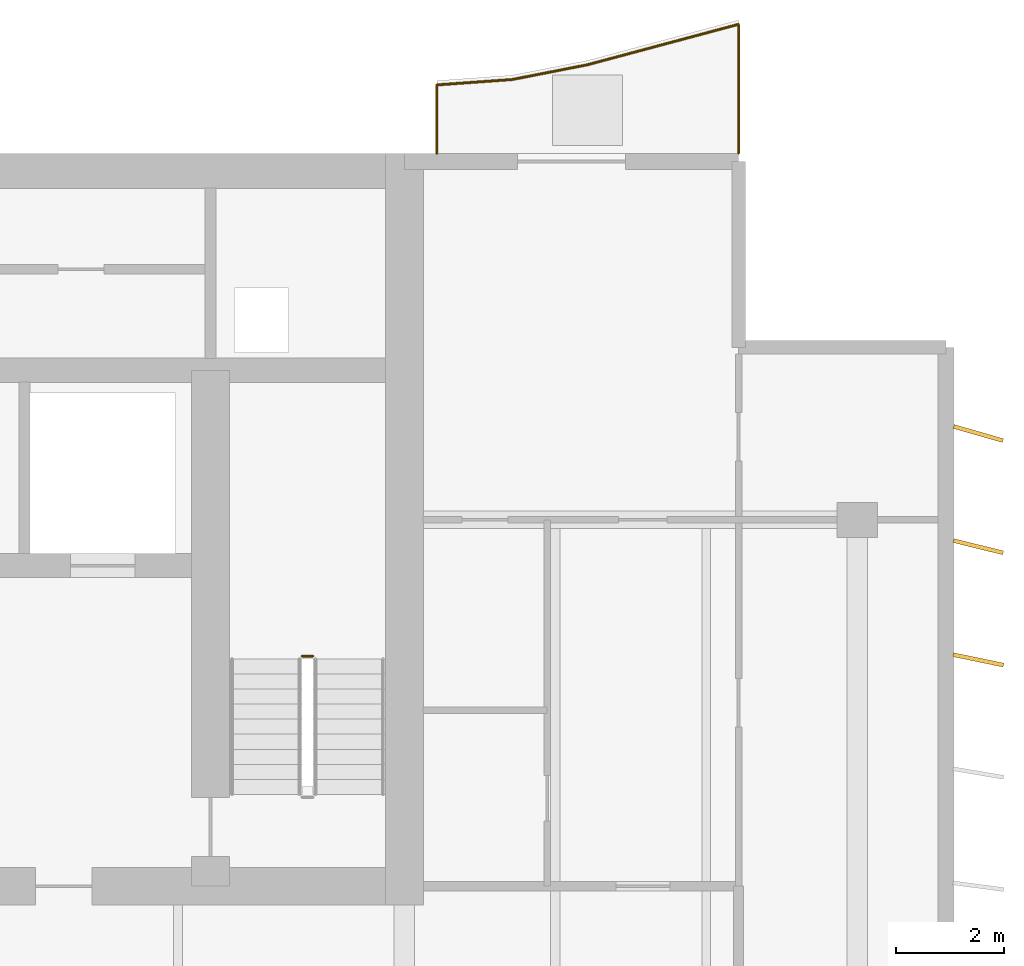
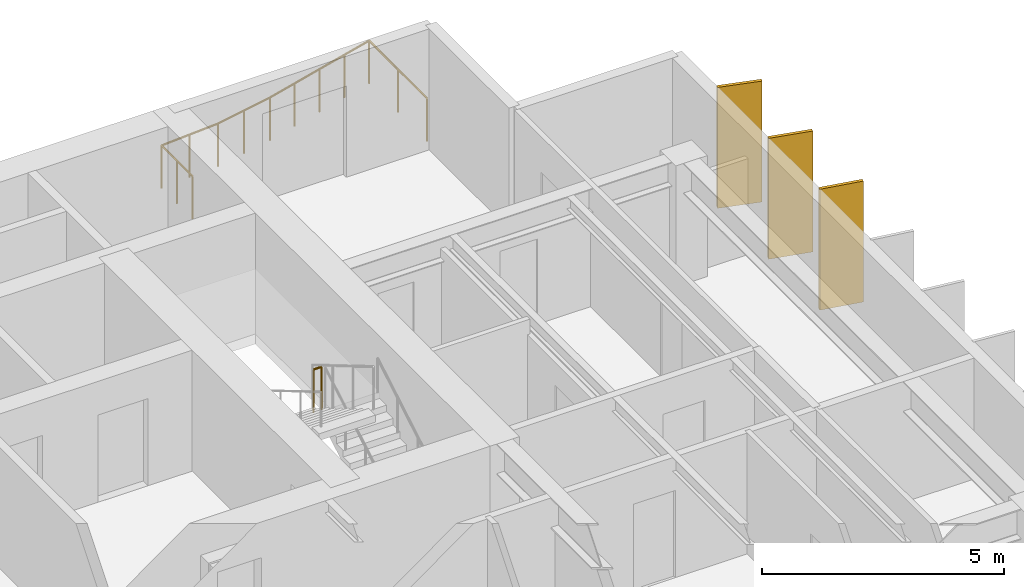
# One storey, part 17 of 17: 3 shading devices, 2 railings.
"""IFC4 building model written with IfcOpenShell, lengths in metres."""

from ifc_helpers import new_model, si_unit, direction, frame, origin, origin_2d, place, context, subcontext, project, spatial, rectangle, circle, extrude, material, material_profile, profile_set, type_object, element, save


model = new_model("IFC4")

# Units and contexts
model_context = context("Model", 3, precision=1e-05, world=origin(), true_north=direction((0.0, 1.0)))
body_context = subcontext(model_context, "Body", "Model", "MODEL_VIEW")
ifc_project = project(units=[si_unit("LENGTHUNIT", "METRE"), si_unit("AREAUNIT", "SQUARE_METRE"), si_unit("VOLUMEUNIT", "CUBIC_METRE"), si_unit("PLANEANGLEUNIT", "RADIAN"), si_unit("MASSUNIT", "GRAM", prefix="KILO")], contexts=[model_context])

# Site, building, storey
site_placement = place(None, origin())
site = spatial("IfcSite", under=ifc_project, at=site_placement, CompositionType="ELEMENT")
building_placement = place(site_placement, origin())
building = spatial("IfcBuilding", under=site, at=building_placement, Name="Caelmar Bay Residences", CompositionType="ELEMENT")
storey_placement = place(building_placement, frame((0.0, 0.0, 229.800048828125)))
storey = spatial("IfcBuildingStorey", under=building, at=storey_placement, Name="L64", CompositionType="ELEMENT", Elevation=229.800048828125)

# Railings
ifc_material_1 = material(Name="Anodised bronze handrail with laminated hurricane glass infill", Category="glass")
railing_type_1 = type_object("IfcRailingType", Name="RL-BAL-1100", PredefinedType="BALUSTRADE", material=ifc_material_1)
railing_1_placement = place(storey_placement, frame((65.699951171875, 50.60009765625, 0.0)))
element("IfcRailing", 1, at=railing_1_placement, inside=storey, type_object=railing_type_1, Name="L64 north_east Balcony Balustrade", PredefinedType="BALUSTRADE", context=body_context, shape_type="SweptSolid", body=[
    extrude(circle(Radius=0.02392578125, at=origin_2d()), frame((0.0, 0.0, 1.076171875), z_axis=(0.0, 1.0, 0.0), x_axis=(-1.0, 0.0, 0.0)), (0.0, 0.0, 1.0), 2.39501953125),
    extrude(circle(Radius=0.02392578125, at=origin_2d()), frame((0.0, 2.39501953125, 1.076171875), z_axis=(-0.965943540406, -0.258752926066, 0.0), x_axis=(0.258752926066, -0.965943540406, 0.0)), (0.0, 0.0, 1.0), 1.44921875),
    extrude(circle(Radius=0.02392578125, at=origin_2d()), frame((-1.39990234375, 2.02001953125, 1.076171875), z_axis=(-0.965954816498, -0.258710827923, 0.0), x_axis=(0.258710827923, -0.965954816498, 0.0)), (0.0, 0.0, 1.0), 1.449462890625),
    extrude(circle(Radius=0.02392578125, at=origin_2d()), frame((-2.800048828125, 1.64501953125, 1.076171875), z_axis=(-0.981291567128, -0.192527557206, 0.0), x_axis=(0.192527557206, -0.981291567128, 0.0)), (0.0, 0.0, 1.0), 1.426513671875),
    extrude(circle(Radius=0.02392578125, at=origin_2d()), frame((-4.199951171875, 1.370361328125, 1.076171875), z_axis=(-0.997441009083, -0.07149428928, 0.0), x_axis=(0.07149428928, -0.997441009083, 0.0)), (0.0, 0.0, 1.0), 1.403564453125),
    extrude(circle(Radius=0.02392578125, at=origin_2d()), frame((-5.599853515625, 1.27001953125, 1.076171875), z_axis=(0.0, -1.0, 0.0), x_axis=(1.0, 0.0, 0.0)), (0.0, 0.0, 1.0), 1.27001953125),
    extrude(circle(Radius=0.02099609375, at=origin_2d()), origin(), (0.0, 0.0, 1.0), 1.052001953125),
    extrude(circle(Radius=0.02099609375, at=origin_2d()), frame((0.0, 1.197509765625, 0.0)), (0.0, 0.0, 1.0), 1.052001953125),
    extrude(circle(Radius=0.02099609375, at=origin_2d()), frame((0.0, 2.39501953125, 0.0)), (0.0, 0.0, 1.0), 1.052001953125),
    extrude(circle(Radius=0.02099609375, at=origin_2d()), frame((-0.699951171875, 2.20751953125, 0.0)), (0.0, 0.0, 1.0), 1.052001953125),
    extrude(circle(Radius=0.02099609375, at=origin_2d()), frame((-1.39990234375, 2.02001953125, 0.0)), (0.0, 0.0, 1.0), 1.052001953125),
    extrude(circle(Radius=0.02099609375, at=origin_2d()), frame((-2.10009765625, 1.83251953125, 0.0)), (0.0, 0.0, 1.0), 1.052001953125),
    extrude(circle(Radius=0.02099609375, at=origin_2d()), frame((-2.800048828125, 1.64501953125, 0.0)), (0.0, 0.0, 1.0), 1.052001953125),
    extrude(circle(Radius=0.02099609375, at=origin_2d()), frame((-3.5, 1.5078125, 0.0)), (0.0, 0.0, 1.0), 1.052001953125),
    extrude(circle(Radius=0.02099609375, at=origin_2d()), frame((-4.199951171875, 1.370361328125, 0.0)), (0.0, 0.0, 1.0), 1.052001953125),
    extrude(circle(Radius=0.02099609375, at=origin_2d()), frame((-4.89990234375, 1.3203125, 0.0)), (0.0, 0.0, 1.0), 1.052001953125),
    extrude(circle(Radius=0.02099609375, at=origin_2d()), frame((-5.599853515625, 1.27001953125, 0.0)), (0.0, 0.0, 1.0), 1.052001953125),
    extrude(circle(Radius=0.02099609375, at=origin_2d()), frame((-5.599853515625, 0.635009765625, 0.0)), (0.0, 0.0, 1.0), 1.052001953125),
    extrude(circle(Radius=0.02099609375, at=origin_2d()), frame((-5.599853515625, 0.0, 0.0)), (0.0, 0.0, 1.0), 1.052001953125),
])
ifc_material_2 = material(Name="Painted galvanized steel stair guard 1100 mm", Category="steel")
railing_type_2 = type_object("IfcRailingType", Name="RL-GRD-1100", PredefinedType="GUARDRAIL", material=ifc_material_2)
railing_2_placement = place(storey_placement, frame((57.800048828125, 41.27001953125, 1.64990234375)))
element("IfcRailing", 2, at=railing_2_placement, inside=storey, type_object=railing_type_2, Name="L64 ST2 stair guard 2", PredefinedType="GUARDRAIL", context=body_context, shape_type="SweptSolid", body=[
    extrude(circle(Radius=0.02392578125, at=origin_2d()), frame((0.0, 0.0, 1.076171875), z_axis=(-1.0, 0.0, 0.0), x_axis=(0.0, -1.0, 0.0)), (0.0, 0.0, 1.0), 0.199951171875),
    extrude(circle(Radius=0.02099609375, at=origin_2d()), origin(), (0.0, 0.0, 1.0), 1.052001953125),
    extrude(circle(Radius=0.02099609375, at=origin_2d()), frame((-0.199951171875, 0.0, 0.0)), (0.0, 0.0, 1.0), 1.052001953125),
])

# Shading devices
ifc_material_3 = material(Name="Anodised architectural bronze aluminium 6063-T6", Category="aluminium")
ifc_material_profile = material_profile(ifc_material_3, rectangle(XDim=0.074951171875, YDim=0.949951171875, at=origin_2d()), Name="BRONZE-FIN-75X950")
ifc_profile_set = profile_set([ifc_material_profile], Name="Anodised architectural bronze aluminium 6063-T6")
shading_device_type = type_object("IfcShadingDeviceType", Name="SHD-FIN-950", PredefinedType="USERDEFINED", material=ifc_profile_set)
for number, where, z_axis, x_axis, name in (
    (3, (70.14990234375, 41.199951171875, 0.0), (0.0, 0.0, 1.0), (0.2032999874, 0.979116497217, 0.0), "L64 East Bronze Solar Fin 14"),
    (4, (70.14990234375, 43.300048828125, 0.0), (0.0, 0.0, 1.0), (0.239719743609, 0.970842131618, 0.0), "L64 East Bronze Solar Fin 15"),
    (5, (70.14990234375, 45.39990234375, 0.0), (0.0, 0.0, 1.0), (0.275637355817, 0.961261695938, 0.0), "L64 East Bronze Solar Fin 16"),
):
    element("IfcShadingDevice", number, at=place(storey_placement, frame(where, z_axis=z_axis, x_axis=x_axis)), inside=storey, type_object=shading_device_type, Name=name, ObjectType="FIN", PredefinedType="USERDEFINED", context=body_context, shape_type="SweptSolid", body=[
        extrude(rectangle(XDim=0.074951171875, YDim=0.949951171875, at=origin_2d()), origin(), (0.0, 0.0, 1.0), 3.050048828125),
    ])

save(model, "model.ifc")
